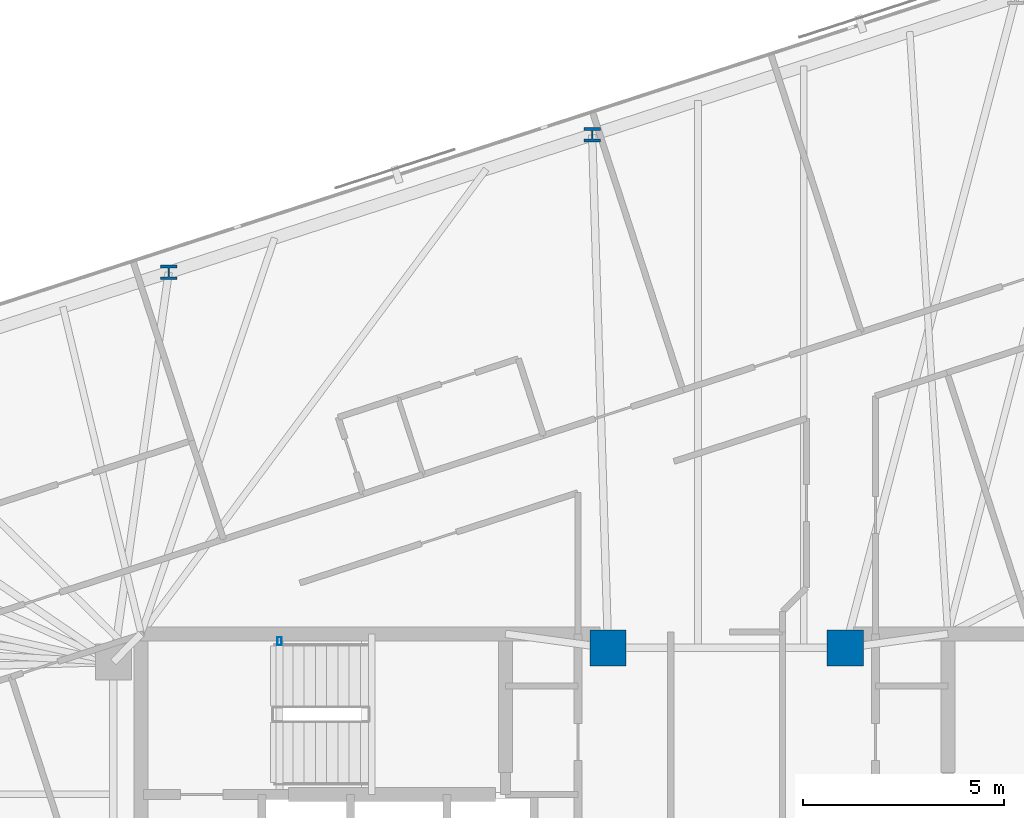
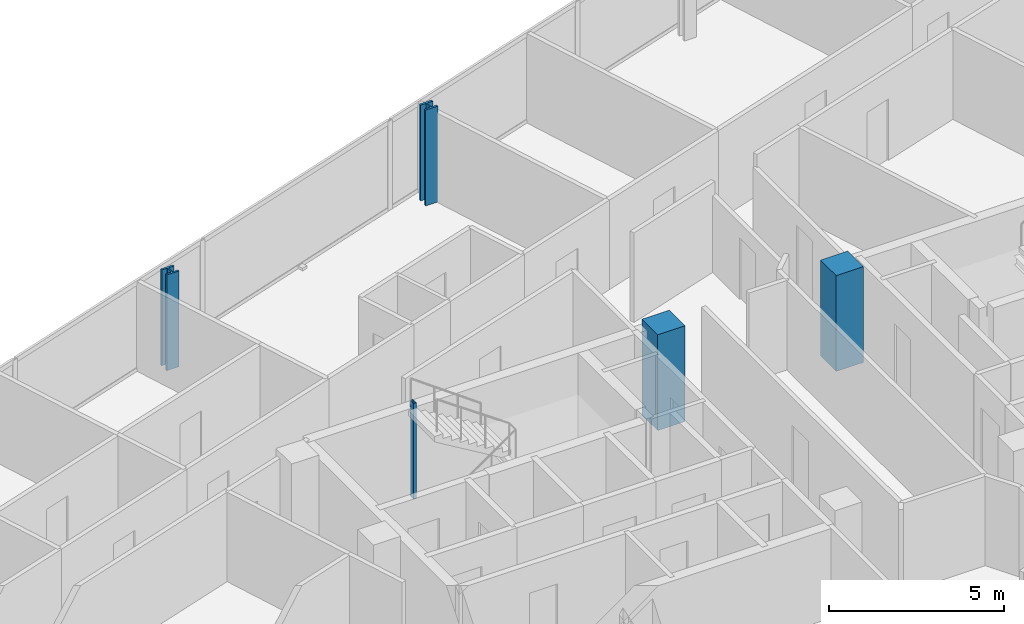
# One storey, part 2 of 19: 5 columns.
"""IFC4 building model written with IfcOpenShell, lengths in metres."""

from ifc_helpers import new_model, si_unit, direction, frame, origin, origin_2d, place, context, subcontext, project, spatial, rectangle, hollow_rectangle, i_section, extrude, material, material_profile, profile_set, type_object, element, save


model = new_model("IFC4")

# Units and contexts
model_context = context("Model", 3, precision=1e-05, world=origin(), true_north=direction((0.0, 1.0)))
body_context = subcontext(model_context, "Body", "Model", "MODEL_VIEW")
ifc_project = project(units=[si_unit("LENGTHUNIT", "METRE"), si_unit("AREAUNIT", "SQUARE_METRE"), si_unit("VOLUMEUNIT", "CUBIC_METRE"), si_unit("PLANEANGLEUNIT", "RADIAN"), si_unit("MASSUNIT", "GRAM", prefix="KILO")], contexts=[model_context])

# Site, building, storey
site_placement = place(None, origin())
site = spatial("IfcSite", under=ifc_project, at=site_placement, CompositionType="ELEMENT")
building_placement = place(site_placement, origin())
building = spatial("IfcBuilding", under=site, at=building_placement, Name="Menara Jurai Vektor", CompositionType="ELEMENT")
storey_placement = place(building_placement, frame((0.0, 0.0, 231.0)))
storey = spatial("IfcBuildingStorey", under=building, at=storey_placement, Name="L61", CompositionType="ELEMENT", Elevation=231.0)

# Columns
ifc_material_1 = material(Name="Concrete C50/60", Category="concrete")
ifc_material_profile_1 = material_profile(ifc_material_1, rectangle(XDim=0.89990234375, YDim=0.89990234375, at=origin_2d()), Name="RC 900x900")
ifc_profile_set_1 = profile_set([ifc_material_profile_1], Name="Concrete C50/60")
column_type_1 = type_object("IfcColumnType", Name="STR-COL-RC900", PredefinedType="COLUMN", material=ifc_profile_set_1)
for number, where, z_axis, x_axis, name in (
    (1, (-2.949951171875, 5.25, 0.0), (0.0, 0.0, 1.0), (1.0, 0.0, 0.0), "Core Spine Column CW-NE L61"),
    (2, (2.949951171875, 5.25, 0.0), (0.0, 0.0, 1.0), (1.0, 0.0, 0.0), "Core Spine Column CE-NW L61"),
):
    element("IfcColumn", number, at=place(storey_placement, frame(where, z_axis=z_axis, x_axis=x_axis)), inside=storey, type_object=column_type_1, Name=name, PredefinedType="COLUMN", context=body_context, shape_type="SweptSolid", body=[
        extrude(rectangle(XDim=0.89990234375, YDim=0.89990234375, at=origin_2d()), origin(), (0.0, 0.0, 1.0), 3.35009765625),
    ])
ifc_material_2 = material(Name="Steel S355", Category="steel")
ifc_material_profile_2 = material_profile(ifc_material_2, hollow_rectangle(XDim=0.10009765625, YDim=0.199951171875, WallThickness=0.008056640625, at=origin_2d()), Name="RHS 200x100x8")
ifc_profile_set_2 = profile_set([ifc_material_profile_2], Name="Steel S355")
column_type_2 = type_object("IfcColumnType", Name="STR-COL-STAIR", PredefinedType="COLUMN", material=ifc_profile_set_2)
column_placement = place(storey_placement, frame((-11.1201171875, 5.419921875, 0.0), z_axis=(0.0, 0.0, 1.0), x_axis=(1.0, 0.0, 0.0)))
element("IfcColumn", 3, at=column_placement, inside=storey, type_object=column_type_2, Name="Stair Well Header Column ST1-P2 L61", PredefinedType="COLUMN", context=body_context, shape_type="SweptSolid", body=[
    extrude(hollow_rectangle(XDim=0.10009765625, YDim=0.199951171875, WallThickness=0.008056640625, at=origin_2d()), origin(), (0.0, 0.0, 1.0), 3.35009765625),
])
ifc_material_3 = material(Name="Steel S460", Category="steel")
ifc_material_profile_3 = material_profile(ifc_material_3, i_section(OverallWidth=0.405029296875, OverallDepth=0.35498046875, WebThickness=0.0419921875, FlangeThickness=0.068115234375, FilletRadius=0.014892578125, at=origin_2d()), Name="HD 400x551")
ifc_profile_set_3 = profile_set([ifc_material_profile_3], Name="Steel S460")
column_type_3 = type_object("IfcColumnType", Name="STR-EXO-BLK4", PredefinedType="COLUMN", material=ifc_profile_set_3)
for number, where, z_axis, x_axis, name in (
    (4, (-3.345703125, 18.008544921875, 0.0), (0.0, 0.0, 1.0), (1.0, 0.0, 0.0), "Exoskeleton Column BLK4-N3 L61"),
    (5, (-13.875, 14.58740234375, 0.0), (0.0, 0.0, 1.0), (1.0, 0.0, 0.0), "Exoskeleton Column BLK4-N4 L61"),
):
    element("IfcColumn", number, at=place(storey_placement, frame(where, z_axis=z_axis, x_axis=x_axis)), inside=storey, type_object=column_type_3, Name=name, PredefinedType="COLUMN", context=body_context, shape_type="SweptSolid", body=[
        extrude(i_section(OverallWidth=0.405029296875, OverallDepth=0.35498046875, WebThickness=0.0419921875, FlangeThickness=0.068115234375, FilletRadius=0.014892578125, at=origin_2d()), origin(), (0.0, 0.0, 1.0), 3.35009765625),
    ])

save(model, "model.ifc")
